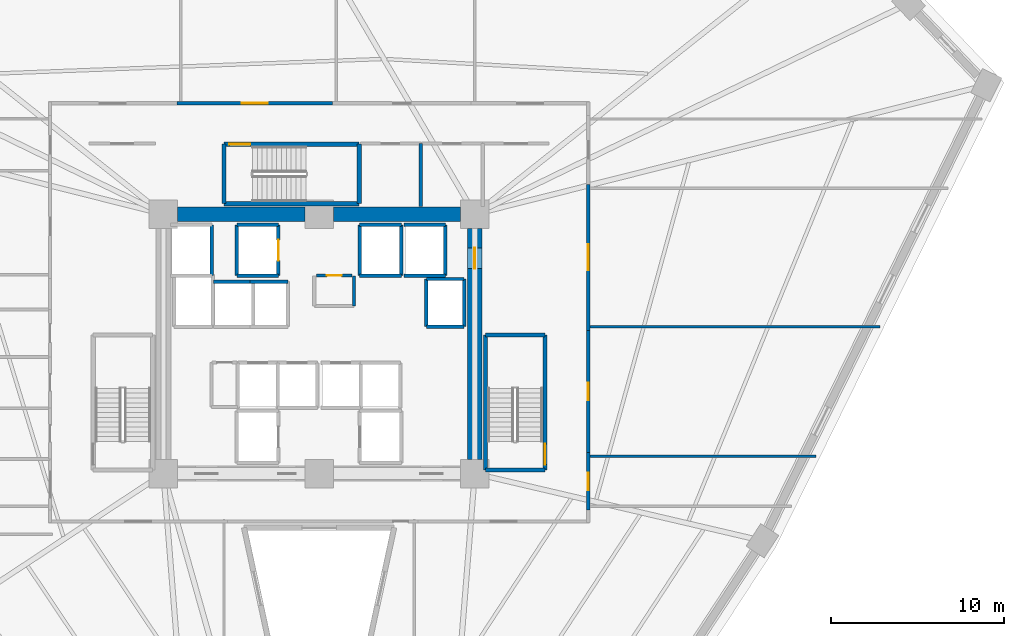
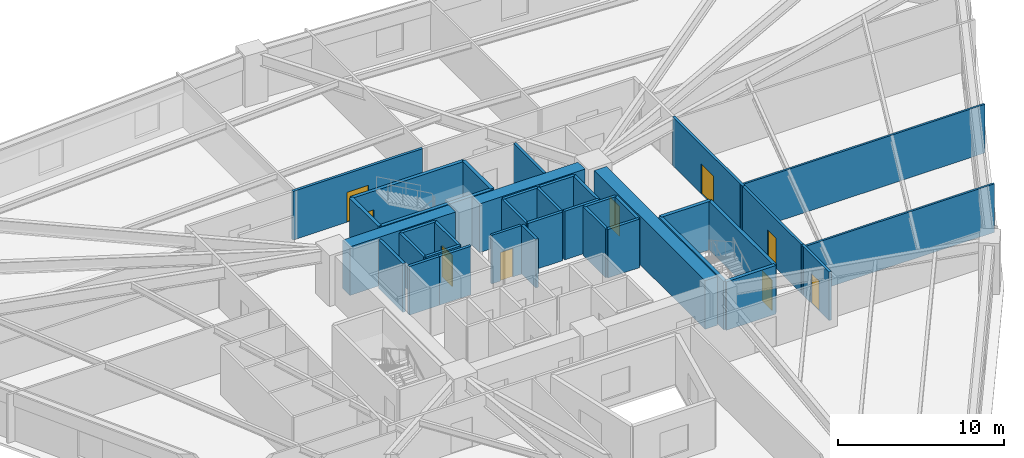
# One storey, part 6 of 11: 38 walls, 9 doors, 9 openings.
"""IFC4 building model written with IfcOpenShell, lengths in metres."""

from ifc_helpers import new_model, si_unit, direction, frame, frame_2d, origin, place, context, subcontext, project, spatial, rectangle, extrude, source, transform, mapped, material, layer, layer_set, type_object, element, fill, save


model = new_model("IFC4")

# Units and contexts
model_context = context("Model", 3, precision=1e-05, world=origin(), true_north=direction((0.0, 1.0)))
body_context = subcontext(model_context, "Body", "Model", "MODEL_VIEW")
ifc_project = project(units=[si_unit("LENGTHUNIT", "METRE"), si_unit("AREAUNIT", "SQUARE_METRE"), si_unit("VOLUMEUNIT", "CUBIC_METRE"), si_unit("PLANEANGLEUNIT", "RADIAN"), si_unit("MASSUNIT", "GRAM", prefix="KILO")], contexts=[model_context])

# Site, building, storey
site_placement = place(None, origin())
site = spatial("IfcSite", under=ifc_project, at=site_placement, CompositionType="ELEMENT")
building_placement = place(site_placement, origin())
building = spatial("IfcBuilding", under=site, at=building_placement, Name="Liaohun Quay Tower", CompositionType="ELEMENT")
storey_placement = place(building_placement, frame((0.0, 0.0, 51.75)))
storey = spatial("IfcBuildingStorey", under=building, at=storey_placement, Name="L13", CompositionType="ELEMENT", Elevation=51.75)

# Walls
ifc_material_1 = material(Name="Concrete C60", Category="concrete")
ifc_layer_1 = layer(ifc_material_1, 0.85009765625, Name="Concrete C60", Category="concrete")
ifc_layer_set_1 = layer_set([ifc_layer_1], Name="Concrete C60")
wall_type_1 = type_object("IfcWallType", Name="WAL-COR-Z1", PredefinedType="SHEAR", material=ifc_layer_set_1)
for number, where, z_axis, x_axis, name in (
    (1, (51.824951171875, 61.5, 0.0), (0.0, 0.0, 1.0), (1.0, 0.0, 0.0), "L13 Central Core Shear Wall N-W"),
    (2, (60.824951171875, 61.5, 0.0), (0.0, 0.0, 1.0), (1.0, 0.0, 0.0), "L13 Central Core Shear Wall N-E"),
):
    element("IfcWall", number, at=place(storey_placement, frame(where, z_axis=z_axis, x_axis=x_axis)), inside=storey, type_object=wall_type_1, Name=name, PredefinedType="SHEAR", context=body_context, shape_type="SweptSolid", body=[
        extrude(rectangle(XDim=7.35009765625, YDim=0.85009765625, at=frame_2d((3.675048828125, 0.0))), origin(), (0.0, 0.0, 1.0), 3.570068359375),
    ])

# Wall, opening, door
wall_1_placement = place(storey_placement, frame((69.0, 60.675048828125, 0.0), z_axis=(0.0, 0.0, 1.0), x_axis=(0.0, -1.0, 0.0)))
wall_1 = element("IfcWall", 3, at=wall_1_placement, inside=storey, type_object=wall_type_1, Name="L13 Central Core Shear Wall E", PredefinedType="SHEAR", context=body_context, shape_type="SweptSolid", body=[
    extrude(rectangle(XDim=13.35009765625, YDim=0.85009765625, at=frame_2d((6.675048828125, 0.0))), origin(), (0.0, 0.0, 1.0), 3.570068359375),
])
shared_shape_1 = source(origin(), body_context, "Body", "SweptSolid", [
    extrude(rectangle(XDim=1.199951171875, YDim=2.199951171875, at=frame_2d((0.60009765625, 1.10009765625))), frame((0.0, 0.43505859375, 0.0), z_axis=(0.0, -1.0, 0.0), x_axis=(1.0, 0.0, 0.0)), (0.0, 0.0, 1.0), 0.8701171875),
])
opening_1_placement = place(wall_1_placement, frame((1.125, 0.0, 0.0)))
opening_1 = element("IfcOpeningElement", 4, at=opening_1_placement, cuts=wall_1, Name="Opening SD1", PredefinedType="OPENING", context=body_context, shape_type="MappedRepresentation", body=[
    mapped(shared_shape_1, transform((0.0, 0.0, 0.0), x_axis=(1.0, 0.0, 0.0), y_axis=(0.0, 1.0, 0.0), z_axis=(0.0, 0.0, 1.0), scale=1.0)),
])
ifc_material_2 = material(Name="Galvanised steel fire door", Category="steel")
door_type_1 = type_object("IfcDoorType", Name="DOR-STR-1200", OperationType="NOTDEFINED", PredefinedType="DOOR", material=ifc_material_2)
shared_shape_2 = source(origin(), body_context, "Body", "SweptSolid", [
    extrude(rectangle(XDim=1.199951171875, YDim=2.199951171875, at=frame_2d((0.60009765625, 1.10009765625))), frame((0.0, 0.02490234375, 0.0), z_axis=(0.0, -1.0, 0.0), x_axis=(1.0, 0.0, 0.0)), (0.0, 0.0, 1.0), 0.050048828125),
])
door_1_placement = place(opening_1_placement, origin())
door_1 = element("IfcDoor", 5, at=door_1_placement, inside=storey, type_object=door_type_1, Name="L13 North-East Core Lobby Smokeproof Door", OperationType="SINGLE_SWING_LEFT", OverallHeight=2.199951171875, OverallWidth=1.199951171875, PredefinedType="DOOR", context=body_context, shape_type="MappedRepresentation", body=[
    mapped(shared_shape_2, transform((0.0, 0.0, 0.0), x_axis=(1.0, 0.0, 0.0), y_axis=(0.0, 1.0, 0.0), z_axis=(0.0, 0.0, 1.0), scale=1.0)),
])
fill(opening_1, door_1)

ifc_material_3 = material(Name="Autoclaved aerated concrete blockwork", Category="masonry")
ifc_layer_2 = layer(ifc_material_3, 0.179931640625, Name="Autoclaved aerated concrete blockwork", Category="masonry")
ifc_layer_set_2 = layer_set([ifc_layer_2], Name="Autoclaved aerated concrete blockwork")
wall_type_2 = type_object("IfcWallType", Name="WAL-PRT-COR", PredefinedType="PARTITIONING", material=ifc_layer_set_2)
wall_2_placement = place(storey_placement, frame((59.840087890625, 57.949951171875, 0.0), z_axis=(0.0, 0.0, 1.0), x_axis=(1.0, 0.0, 0.0)))
wall_2 = element("IfcWall", 6, at=wall_2_placement, inside=storey, type_object=wall_type_2, Name="L13 Interior Partition Wall 001", PredefinedType="PARTITIONING", context=body_context, shape_type="SweptSolid", body=[
    extrude(rectangle(XDim=2.059814453125, YDim=0.179931640625, at=frame_2d((1.02978515625, 0.0))), origin(), (0.0, 0.0, 1.0), 3.570068359375),
])
shared_shape_3 = source(origin(), body_context, "Body", "SweptSolid", [
    extrude(rectangle(XDim=0.85009765625, YDim=2.10009765625, at=frame_2d((0.425048828125, 1.050048828125))), frame((0.0, 0.099853515625, 0.0), z_axis=(0.0, -1.0, 0.0), x_axis=(1.0, 0.0, 0.0)), (0.0, 0.0, 1.0), 0.199951171875),
])
opening_2_placement = place(wall_2_placement, frame((0.60498046875, 0.0, 0.0)))
opening_2 = element("IfcOpeningElement", 7, at=opening_2_placement, cuts=wall_2, Name="Opening AD1", PredefinedType="OPENING", context=body_context, shape_type="MappedRepresentation", body=[
    mapped(shared_shape_3, transform((0.0, 0.0, 0.0), x_axis=(1.0, 0.0, 0.0), y_axis=(0.0, 1.0, 0.0), z_axis=(0.0, 0.0, 1.0), scale=1.0)),
])
ifc_material_4 = material(Name="Steel riser inspection fire door", Category="steel")
door_type_2 = type_object("IfcDoorType", Name="DOR-SHF-850", OperationType="NOTDEFINED", PredefinedType="DOOR", material=ifc_material_4)
shared_shape_4 = source(origin(), body_context, "Body", "SweptSolid", [
    extrude(rectangle(XDim=0.85009765625, YDim=2.10009765625, at=frame_2d((0.425048828125, 1.050048828125))), frame((0.0, 0.02490234375, 0.0), z_axis=(0.0, -1.0, 0.0), x_axis=(1.0, 0.0, 0.0)), (0.0, 0.0, 1.0), 0.050048828125),
])
door_2_placement = place(opening_2_placement, origin())
door_2 = element("IfcDoor", 8, at=door_2_placement, inside=storey, type_object=door_type_2, Name="L13 Core Janitor and Cleaner Store Door", OperationType="SINGLE_SWING_RIGHT", OverallHeight=2.10009765625, OverallWidth=0.85009765625, PredefinedType="DOOR", context=body_context, shape_type="MappedRepresentation", body=[
    mapped(shared_shape_4, transform((0.0, 0.0, 0.0), x_axis=(1.0, 0.0, 0.0), y_axis=(0.0, 1.0, 0.0), z_axis=(0.0, 0.0, 1.0), scale=1.0)),
])
fill(opening_2, door_2)

wall_3_placement = place(storey_placement, frame((75.56005859375, 63.215087890625, 0.0), z_axis=(0.0, 0.0, 1.0), x_axis=(0.0, -1.0, 0.0)))
wall_3 = element("IfcWall", 9, at=wall_3_placement, inside=storey, type_object=wall_type_2, Name="L13 Interior Partition Wall 010", PredefinedType="PARTITIONING", context=body_context, shape_type="SweptSolid", body=[
    extrude(rectangle(XDim=8.43017578125, YDim=0.179931640625, at=frame_2d((4.215087890625, 0.0))), origin(), (0.0, 0.0, 1.0), 3.570068359375),
])
shared_shape_5 = source(origin(), body_context, "Body", "SweptSolid", [
    extrude(rectangle(XDim=1.5, YDim=2.199951171875, at=frame_2d((0.75, 1.10009765625))), frame((0.0, 0.099853515625, 0.0), z_axis=(0.0, -1.0, 0.0), x_axis=(1.0, 0.0, 0.0)), (0.0, 0.0, 1.0), 0.199951171875),
])
opening_3_placement = place(wall_3_placement, frame((3.465087890625, 0.0, 0.0)))
opening_3 = element("IfcOpeningElement", 10, at=opening_3_placement, cuts=wall_3, Name="Opening OD2", PredefinedType="OPENING", context=body_context, shape_type="MappedRepresentation", body=[
    mapped(shared_shape_5, transform((0.0, 0.0, 0.0), x_axis=(1.0, 0.0, 0.0), y_axis=(0.0, 1.0, 0.0), z_axis=(0.0, 0.0, 1.0), scale=1.0)),
])
ifc_material_5 = material(Name="Acoustic oak veneer double door")
door_type_3 = type_object("IfcDoorType", Name="DOR-OFF-1500", OperationType="DOUBLE_DOOR_SINGLE_SWING", PredefinedType="DOOR", material=ifc_material_5)
shared_shape_6 = source(origin(), body_context, "Body", "SweptSolid", [
    extrude(rectangle(XDim=1.5, YDim=2.199951171875, at=frame_2d((0.75, 1.10009765625))), frame((0.0, 0.02490234375, 0.0), z_axis=(0.0, -1.0, 0.0), x_axis=(1.0, 0.0, 0.0)), (0.0, 0.0, 1.0), 0.050048828125),
])
door_3_placement = place(opening_3_placement, origin())
door_3 = element("IfcDoor", 11, at=door_3_placement, inside=storey, type_object=door_type_3, Name="L13 Architectural Design Studio 01 Door", OperationType="DOUBLE_DOOR_SINGLE_SWING", OverallHeight=2.199951171875, OverallWidth=1.5, PredefinedType="DOOR", context=body_context, shape_type="MappedRepresentation", body=[
    mapped(shared_shape_6, transform((0.0, 0.0, 0.0), x_axis=(1.0, 0.0, 0.0), y_axis=(0.0, 1.0, 0.0), z_axis=(0.0, 0.0, 1.0), scale=1.0)),
])
fill(opening_3, door_3)

wall_4_placement = place(storey_placement, frame((51.784912109375, 67.909912109375, 0.0), z_axis=(0.0, 0.0, 1.0), x_axis=(1.0, 0.0, 0.0)))
wall_4 = element("IfcWall", 12, at=wall_4_placement, inside=storey, type_object=wall_type_2, Name="L13 Interior Partition Wall 014", PredefinedType="PARTITIONING", context=body_context, shape_type="SweptSolid", body=[
    extrude(rectangle(XDim=9.0, YDim=0.179931640625, at=frame_2d((4.5, 0.0))), origin(), (0.0, 0.0, 1.0), 3.570068359375),
])
opening_4_placement = place(wall_4_placement, frame((3.75, 0.0, 0.0)))
opening_4 = element("IfcOpeningElement", 13, at=opening_4_placement, cuts=wall_4, Name="Opening OD2", PredefinedType="OPENING", context=body_context, shape_type="MappedRepresentation", body=[
    mapped(shared_shape_5, transform((0.0, 0.0, 0.0), x_axis=(1.0, 0.0, 0.0), y_axis=(0.0, 1.0, 0.0), z_axis=(0.0, 0.0, 1.0), scale=1.0)),
])
door_4_placement = place(opening_4_placement, origin())
door_4 = element("IfcDoor", 14, at=door_4_placement, inside=storey, type_object=door_type_3, Name="L13 Digital Prototyping Laboratory 05 Door", OperationType="DOUBLE_DOOR_SINGLE_SWING", OverallHeight=2.199951171875, OverallWidth=1.5, PredefinedType="DOOR", context=body_context, shape_type="MappedRepresentation", body=[
    mapped(shared_shape_6, transform((0.0, 0.0, 0.0), x_axis=(1.0, 0.0, 0.0), y_axis=(0.0, 1.0, 0.0), z_axis=(0.0, 0.0, 1.0), scale=1.0)),
])
fill(opening_4, door_4)

wall_5_placement = place(storey_placement, frame((75.56005859375, 47.715087890625, 0.0), z_axis=(0.0, 0.0, 1.0), x_axis=(0.0, -1.0, 0.0)))
wall_5 = element("IfcWall", 15, at=wall_5_placement, inside=storey, type_object=wall_type_2, Name="L13 Interior Partition Wall 022", PredefinedType="PARTITIONING", context=body_context, shape_type="SweptSolid", body=[
    extrude(rectangle(XDim=3.330078125, YDim=0.179931640625, at=frame_2d((1.6650390625, 0.0))), origin(), (0.0, 0.0, 1.0), 3.570068359375),
])
shared_shape_7 = source(origin(), body_context, "Body", "SweptSolid", [
    extrude(rectangle(XDim=1.0, YDim=2.199951171875, at=frame_2d((0.5, 1.10009765625))), frame((0.0, 0.099853515625, 0.0), z_axis=(0.0, -1.0, 0.0), x_axis=(1.0, 0.0, 0.0)), (0.0, 0.0, 1.0), 0.199951171875),
])
opening_5_placement = place(wall_5_placement, frame((1.1650390625, 0.0, 0.0)))
opening_5 = element("IfcOpeningElement", 16, at=opening_5_placement, cuts=wall_5, Name="Opening OD1", PredefinedType="OPENING", context=body_context, shape_type="MappedRepresentation", body=[
    mapped(shared_shape_7, transform((0.0, 0.0, 0.0), x_axis=(1.0, 0.0, 0.0), y_axis=(0.0, 1.0, 0.0), z_axis=(0.0, 0.0, 1.0), scale=1.0)),
])
ifc_material_6 = material(Name="Solid-core oak veneer timber leaf in steel frame", Category="steel")
door_type_4 = type_object("IfcDoorType", Name="DOR-OFF-1000", OperationType="NOTDEFINED", PredefinedType="DOOR", material=ifc_material_6)
shared_shape_8 = source(origin(), body_context, "Body", "SweptSolid", [
    extrude(rectangle(XDim=1.0, YDim=2.199951171875, at=frame_2d((0.5, 1.10009765625))), frame((0.0, 0.02490234375, 0.0), z_axis=(0.0, -1.0, 0.0), x_axis=(1.0, 0.0, 0.0)), (0.0, 0.0, 1.0), 0.050048828125),
])
door_5_placement = place(opening_5_placement, origin())
door_5 = element("IfcDoor", 17, at=door_5_placement, inside=storey, type_object=door_type_4, Name="L13 Regional Advisory Office 13 Door", OperationType="SINGLE_SWING_LEFT", OverallHeight=2.199951171875, OverallWidth=1.0, PredefinedType="DOOR", context=body_context, shape_type="MappedRepresentation", body=[
    mapped(shared_shape_8, transform((0.0, 0.0, 0.0), x_axis=(1.0, 0.0, 0.0), y_axis=(0.0, 1.0, 0.0), z_axis=(0.0, 0.0, 1.0), scale=1.0)),
])
fill(opening_5, door_5)

wall_6_placement = place(storey_placement, frame((75.56005859375, 54.784912109375, 0.0), z_axis=(0.0, 0.0, 1.0), x_axis=(0.0, -1.0, 0.0)))
wall_6 = element("IfcWall", 18, at=wall_6_placement, inside=storey, type_object=wall_type_2, Name="L13 Interior Partition Wall 023", PredefinedType="PARTITIONING", context=body_context, shape_type="SweptSolid", body=[
    extrude(rectangle(XDim=7.06982421875, YDim=0.179931640625, at=frame_2d((3.534912109375, 0.0))), origin(), (0.0, 0.0, 1.0), 3.570068359375),
])
opening_6_placement = place(wall_6_placement, frame((3.034912109375, 0.0, 0.0)))
opening_6 = element("IfcOpeningElement", 19, at=opening_6_placement, cuts=wall_6, Name="Opening OD1", PredefinedType="OPENING", context=body_context, shape_type="MappedRepresentation", body=[
    mapped(shared_shape_7, transform((0.0, 0.0, 0.0), x_axis=(1.0, 0.0, 0.0), y_axis=(0.0, 1.0, 0.0), z_axis=(0.0, 0.0, 1.0), scale=1.0)),
])
door_6_placement = place(opening_6_placement, origin())
door_6 = element("IfcDoor", 20, at=door_6_placement, inside=storey, type_object=door_type_4, Name="L13 Project Operations Office 14 Door", OperationType="SINGLE_SWING_RIGHT", OverallHeight=2.199951171875, OverallWidth=1.0, PredefinedType="DOOR", context=body_context, shape_type="MappedRepresentation", body=[
    mapped(shared_shape_8, transform((0.0, 0.0, 0.0), x_axis=(1.0, 0.0, 0.0), y_axis=(0.0, 1.0, 0.0), z_axis=(0.0, 0.0, 1.0), scale=1.0)),
])
fill(opening_6, door_6)

# Walls
wall_7_placement = place(storey_placement, frame((62.010009765625, 56.179931640625, 0.0), z_axis=(0.0, 0.0, 1.0), x_axis=(0.0, 1.0, 0.0)))
element("IfcWall", 21, at=wall_7_placement, inside=storey, type_object=wall_type_2, Name="L13 Interior Partition Wall 025", PredefinedType="PARTITIONING", context=body_context, shape_type="SweptSolid", body=[
    extrude(rectangle(XDim=1.739990234375, YDim=0.179931640625, at=frame_2d((0.8701171875, 0.0))), origin(), (0.0, 0.0, 1.0), 3.570068359375),
])
wall_8_placement = place(storey_placement, frame((65.8798828125, 61.949951171875, 0.0), z_axis=(0.0, 0.0, 1.0), x_axis=(0.0, 1.0, 0.0)))
element("IfcWall", 22, at=wall_8_placement, inside=storey, type_object=wall_type_2, Name="L13 Interior Partition Wall 034", PredefinedType="PARTITIONING", context=body_context, shape_type="SweptSolid", body=[
    extrude(rectangle(XDim=3.630126953125, YDim=0.179931640625, at=frame_2d((1.81494140625, 0.0))), origin(), (0.0, 0.0, 1.0), 3.570068359375),
])
ifc_material_7 = material(Name="Gypsum board on twin steel studs", Category="steel")
ifc_layer_3 = layer(ifc_material_7, 0.139892578125, Name="Gypsum board on twin steel studs", Category="steel")
ifc_layer_set_3 = layer_set([ifc_layer_3], Name="Gypsum board on twin steel studs")
wall_type_3 = type_object("IfcWallType", Name="WAL-PRT-OFF", PredefinedType="PARTITIONING", material=ifc_layer_set_3)
wall_9_placement = place(storey_placement, frame((75.4599609375, 47.5, 0.0), z_axis=(0.0, 0.0, 1.0), x_axis=(1.0, 0.0, 0.0)))
element("IfcWall", 23, at=wall_9_placement, inside=storey, type_object=wall_type_3, Name="L13 Interior Partition Wall 047", PredefinedType="PARTITIONING", context=body_context, shape_type="SweptSolid", body=[
    extrude(rectangle(XDim=13.27294921875, YDim=0.139892578125, at=frame_2d((6.636474609375, 0.0))), origin(), (0.0, 0.0, 1.0), 3.570068359375),
])
wall_10_placement = place(storey_placement, frame((75.4599609375, 55.0, 0.0), z_axis=(0.0, 0.0, 1.0), x_axis=(1.0, 0.0, 0.0)))
element("IfcWall", 24, at=wall_10_placement, inside=storey, type_object=wall_type_3, Name="L13 Interior Partition Wall 048", PredefinedType="PARTITIONING", context=body_context, shape_type="SweptSolid", body=[
    extrude(rectangle(XDim=16.958984375, YDim=0.139892578125, at=frame_2d((8.4794921875, 0.0))), origin(), (0.0, 0.0, 1.0), 3.570068359375),
])
ifc_material_8 = material(Name="Concrete C50", Category="concrete")
ifc_layer_4 = layer(ifc_material_8, 0.239990234375, Name="Concrete C50", Category="concrete")
ifc_layer_set_4 = layer_set([ifc_layer_4], Name="Concrete C50")
wall_type_4 = type_object("IfcWallType", Name="WAL-SHF-200", PredefinedType="SOLIDWALL", material=ifc_layer_set_4)
wall_11_placement = place(storey_placement, frame((69.6201171875, 46.699951171875, 0.0), z_axis=(0.0, 0.0, 1.0), x_axis=(1.0, 0.0, 0.0)))
element("IfcWall", 25, at=wall_11_placement, inside=storey, type_object=wall_type_4, Name="L13 Stairwell ST-2 Structural Core Wall S", PredefinedType="SOLIDWALL", context=body_context, shape_type="SweptSolid", body=[
    extrude(rectangle(XDim=3.43994140625, YDim=0.239990234375, at=frame_2d((1.719970703125, 0.0))), origin(), (0.0, 0.0, 1.0), 3.570068359375),
])

# Wall, opening, door
wall_12_placement = place(storey_placement, frame((73.06005859375, 46.699951171875, 0.0), z_axis=(0.0, 0.0, 1.0), x_axis=(0.0, 1.0, 0.0)))
wall_12 = element("IfcWall", 26, at=wall_12_placement, inside=storey, type_object=wall_type_4, Name="L13 Stairwell ST-2 Structural Core Wall E", PredefinedType="SOLIDWALL", context=body_context, shape_type="SweptSolid", body=[
    extrude(rectangle(XDim=7.820068359375, YDim=0.239990234375, at=frame_2d((3.91015625, 0.0))), origin(), (0.0, 0.0, 1.0), 3.570068359375),
])
shared_shape_9 = source(origin(), body_context, "Body", "SweptSolid", [
    extrude(rectangle(XDim=1.199951171875, YDim=2.199951171875, at=frame_2d((0.60009765625, 1.10009765625))), frame((0.0, 0.1298828125, 0.0), z_axis=(0.0, -1.0, 0.0), x_axis=(1.0, 0.0, 0.0)), (0.0, 0.0, 1.0), 0.260009765625),
])
opening_7_placement = place(wall_12_placement, frame((0.320068359375, 0.0, 0.0)))
opening_7 = element("IfcOpeningElement", 27, at=opening_7_placement, cuts=wall_12, Name="Opening SD1", PredefinedType="OPENING", context=body_context, shape_type="MappedRepresentation", body=[
    mapped(shared_shape_9, transform((0.0, 0.0, 0.0), x_axis=(1.0, 0.0, 0.0), y_axis=(0.0, 1.0, 0.0), z_axis=(0.0, 0.0, 1.0), scale=1.0)),
])
door_7_placement = place(opening_7_placement, origin())
door_7 = element("IfcDoor", 28, at=door_7_placement, inside=storey, type_object=door_type_1, Name="L13 Protected Stair ST-2 Fire Door", OperationType="SINGLE_SWING_RIGHT", OverallHeight=2.199951171875, OverallWidth=1.199951171875, PredefinedType="DOOR", context=body_context, shape_type="MappedRepresentation", body=[
    mapped(shared_shape_2, transform((0.0, 0.0, 0.0), x_axis=(1.0, 0.0, 0.0), y_axis=(0.0, 1.0, 0.0), z_axis=(0.0, 0.0, 1.0), scale=1.0)),
])
fill(opening_7, door_7)

# Walls
wall_13_placement = place(storey_placement, frame((73.06005859375, 54.52001953125, 0.0), z_axis=(0.0, 0.0, 1.0), x_axis=(-1.0, 0.0, 0.0)))
element("IfcWall", 29, at=wall_13_placement, inside=storey, type_object=wall_type_4, Name="L13 Stairwell ST-2 Structural Core Wall N", PredefinedType="SOLIDWALL", context=body_context, shape_type="SweptSolid", body=[
    extrude(rectangle(XDim=3.43994140625, YDim=0.239990234375, at=frame_2d((1.719970703125, 0.0))), origin(), (0.0, 0.0, 1.0), 3.570068359375),
])
for number, where, z_axis, x_axis, name in (
    (30, (69.6201171875, 54.52001953125, 0.0), (0.0, 0.0, 1.0), (0.0, -1.0, 0.0), "L13 Stairwell ST-2 Structural Core Wall W"),
    (31, (54.5, 62.10009765625, 0.0), (0.0, 0.0, 1.0), (1.0, 0.0, 0.0), "L13 Stairwell ST-3 Structural Core Wall S"),
):
    element("IfcWall", number, at=place(storey_placement, frame(where, z_axis=z_axis, x_axis=x_axis)), inside=storey, type_object=wall_type_4, Name=name, PredefinedType="SOLIDWALL", context=body_context, shape_type="SweptSolid", body=[
        extrude(rectangle(XDim=7.820068359375, YDim=0.239990234375, at=frame_2d((3.91015625, 0.0))), origin(), (0.0, 0.0, 1.0), 3.570068359375),
    ])
wall_14_placement = place(storey_placement, frame((62.320068359375, 62.10009765625, 0.0), z_axis=(0.0, 0.0, 1.0), x_axis=(0.0, 1.0, 0.0)))
element("IfcWall", 32, at=wall_14_placement, inside=storey, type_object=wall_type_4, Name="L13 Stairwell ST-3 Structural Core Wall E", PredefinedType="SOLIDWALL", context=body_context, shape_type="SweptSolid", body=[
    extrude(rectangle(XDim=3.43994140625, YDim=0.239990234375, at=frame_2d((1.719970703125, 0.0))), origin(), (0.0, 0.0, 1.0), 3.570068359375),
])

# Wall, opening, door
wall_15_placement = place(storey_placement, frame((62.320068359375, 65.5400390625, 0.0), z_axis=(0.0, 0.0, 1.0), x_axis=(-1.0, 0.0, 0.0)))
wall_15 = element("IfcWall", 33, at=wall_15_placement, inside=storey, type_object=wall_type_4, Name="L13 Stairwell ST-3 Structural Core Wall N", PredefinedType="SOLIDWALL", context=body_context, shape_type="SweptSolid", body=[
    extrude(rectangle(XDim=7.820068359375, YDim=0.239990234375, at=frame_2d((3.91015625, 0.0))), origin(), (0.0, 0.0, 1.0), 3.570068359375),
])
opening_8_placement = place(wall_15_placement, frame((6.300048828125, 0.0, 0.0)))
opening_8 = element("IfcOpeningElement", 34, at=opening_8_placement, cuts=wall_15, Name="Opening SD1", PredefinedType="OPENING", context=body_context, shape_type="MappedRepresentation", body=[
    mapped(shared_shape_9, transform((0.0, 0.0, 0.0), x_axis=(1.0, 0.0, 0.0), y_axis=(0.0, 1.0, 0.0), z_axis=(0.0, 0.0, 1.0), scale=1.0)),
])
door_8_placement = place(opening_8_placement, origin())
door_8 = element("IfcDoor", 35, at=door_8_placement, inside=storey, type_object=door_type_1, Name="L13 Protected Stair ST-3 Fire Door", OperationType="SINGLE_SWING_RIGHT", OverallHeight=2.199951171875, OverallWidth=1.199951171875, PredefinedType="DOOR", context=body_context, shape_type="MappedRepresentation", body=[
    mapped(shared_shape_2, transform((0.0, 0.0, 0.0), x_axis=(1.0, 0.0, 0.0), y_axis=(0.0, 1.0, 0.0), z_axis=(0.0, 0.0, 1.0), scale=1.0)),
])
fill(opening_8, door_8)

# Walls
wall_16_placement = place(storey_placement, frame((54.5, 65.5400390625, 0.0), z_axis=(0.0, 0.0, 1.0), x_axis=(0.0, -1.0, 0.0)))
element("IfcWall", 36, at=wall_16_placement, inside=storey, type_object=wall_type_4, Name="L13 Stairwell ST-3 Structural Core Wall W", PredefinedType="SOLIDWALL", context=body_context, shape_type="SweptSolid", body=[
    extrude(rectangle(XDim=3.43994140625, YDim=0.239990234375, at=frame_2d((1.719970703125, 0.0))), origin(), (0.0, 0.0, 1.0), 3.570068359375),
])
wall_17_placement = place(storey_placement, frame((55.25, 57.949951171875, 0.0), z_axis=(0.0, 0.0, 1.0), x_axis=(1.0, 0.0, 0.0)))
element("IfcWall", 37, at=wall_17_placement, inside=storey, type_object=wall_type_4, Name="L13 Lift FF-03 Hoistway Wall S", PredefinedType="SOLIDWALL", context=body_context, shape_type="SweptSolid", body=[
    extrude(rectangle(XDim=2.39990234375, YDim=0.199951171875, at=frame_2d((1.199951171875, 0.0))), origin(), (0.0, 0.0, 1.0), 3.570068359375),
])

# Wall, opening, door
wall_18_placement = place(storey_placement, frame((57.64990234375, 57.949951171875, 0.0), z_axis=(0.0, 0.0, 1.0), x_axis=(0.0, 1.0, 0.0)))
wall_18 = element("IfcWall", 38, at=wall_18_placement, inside=storey, type_object=wall_type_4, Name="L13 Lift FF-03 Hoistway Wall E", PredefinedType="SOLIDWALL", context=body_context, shape_type="SweptSolid", body=[
    extrude(rectangle(XDim=2.929931640625, YDim=0.199951171875, at=frame_2d((1.46484375, 0.0))), origin(), (0.0, 0.0, 1.0), 3.570068359375),
])
shared_shape_10 = source(origin(), body_context, "Body", "SweptSolid", [
    extrude(rectangle(XDim=1.199951171875, YDim=2.300048828125, at=frame_2d((0.60009765625, 1.14990234375))), frame((0.0, 0.10986328125, 0.0), z_axis=(0.0, -1.0, 0.0), x_axis=(1.0, 0.0, 0.0)), (0.0, 0.0, 1.0), 0.219970703125),
])
opening_9_placement = place(wall_18_placement, frame((0.864990234375, 0.0, 0.0)))
opening_9 = element("IfcOpeningElement", 39, at=opening_9_placement, cuts=wall_18, Name="Opening LD2", PredefinedType="OPENING", context=body_context, shape_type="MappedRepresentation", body=[
    mapped(shared_shape_10, transform((0.0, 0.0, 0.0), x_axis=(1.0, 0.0, 0.0), y_axis=(0.0, 1.0, 0.0), z_axis=(0.0, 0.0, 1.0), scale=1.0)),
])
ifc_material_9 = material(Name="Brushed stainless steel stretcher landing door", Category="steel")
door_type_5 = type_object("IfcDoorType", Name="DOR-LFT-1200", OperationType="SLIDING_TO_LEFT", PredefinedType="DOOR", material=ifc_material_9)
shared_shape_11 = source(origin(), body_context, "Body", "SweptSolid", [
    extrude(rectangle(XDim=1.199951171875, YDim=2.300048828125, at=frame_2d((0.60009765625, 1.14990234375))), frame((0.0, 0.02490234375, 0.0), z_axis=(0.0, -1.0, 0.0), x_axis=(1.0, 0.0, 0.0)), (0.0, 0.0, 1.0), 0.050048828125),
])
door_9_placement = place(opening_9_placement, origin())
door_9 = element("IfcDoor", 40, at=door_9_placement, inside=storey, type_object=door_type_5, Name="L13 Lift FF-03 Sliding Landing Door", OperationType="SLIDING_TO_LEFT", OverallHeight=2.300048828125, OverallWidth=1.199951171875, PredefinedType="DOOR", context=body_context, shape_type="MappedRepresentation", body=[
    mapped(shared_shape_11, transform((0.0, 0.0, 0.0), x_axis=(1.0, 0.0, 0.0), y_axis=(0.0, 1.0, 0.0), z_axis=(0.0, 0.0, 1.0), scale=1.0)),
])
fill(opening_9, door_9)

# Walls
wall_19_placement = place(storey_placement, frame((57.64990234375, 60.8798828125, 0.0), z_axis=(0.0, 0.0, 1.0), x_axis=(-1.0, 0.0, 0.0)))
element("IfcWall", 41, at=wall_19_placement, inside=storey, type_object=wall_type_4, Name="L13 Lift FF-03 Hoistway Wall N", PredefinedType="SOLIDWALL", context=body_context, shape_type="SweptSolid", body=[
    extrude(rectangle(XDim=2.39990234375, YDim=0.199951171875, at=frame_2d((1.199951171875, 0.0))), origin(), (0.0, 0.0, 1.0), 3.570068359375),
])
wall_20_placement = place(storey_placement, frame((55.25, 60.8798828125, 0.0), z_axis=(0.0, 0.0, 1.0), x_axis=(0.0, -1.0, 0.0)))
element("IfcWall", 42, at=wall_20_placement, inside=storey, type_object=wall_type_4, Name="L13 Lift FF-03 Hoistway Wall W", PredefinedType="SOLIDWALL", context=body_context, shape_type="SweptSolid", body=[
    extrude(rectangle(XDim=2.929931640625, YDim=0.199951171875, at=frame_2d((1.46484375, 0.0))), origin(), (0.0, 0.0, 1.0), 3.570068359375),
])
wall_21_placement = place(storey_placement, frame((62.35009765625, 57.949951171875, 0.0), z_axis=(0.0, 0.0, 1.0), x_axis=(1.0, 0.0, 0.0)))
element("IfcWall", 43, at=wall_21_placement, inside=storey, type_object=wall_type_4, Name="L13 Lift OB-01 Hoistway Wall S", PredefinedType="SOLIDWALL", context=body_context, shape_type="SweptSolid", body=[
    extrude(rectangle(XDim=2.39990234375, YDim=0.199951171875, at=frame_2d((1.199951171875, 0.0))), origin(), (0.0, 0.0, 1.0), 3.570068359375),
])
wall_22_placement = place(storey_placement, frame((64.75, 57.949951171875, 0.0), z_axis=(0.0, 0.0, 1.0), x_axis=(0.0, 1.0, 0.0)))
element("IfcWall", 44, at=wall_22_placement, inside=storey, type_object=wall_type_4, Name="L13 Lift OB-01 Hoistway Wall E", PredefinedType="SOLIDWALL", context=body_context, shape_type="SweptSolid", body=[
    extrude(rectangle(XDim=2.929931640625, YDim=0.199951171875, at=frame_2d((1.46484375, 0.0))), origin(), (0.0, 0.0, 1.0), 3.570068359375),
])
wall_23_placement = place(storey_placement, frame((64.75, 60.8798828125, 0.0), z_axis=(0.0, 0.0, 1.0), x_axis=(-1.0, 0.0, 0.0)))
element("IfcWall", 45, at=wall_23_placement, inside=storey, type_object=wall_type_4, Name="L13 Lift OB-01 Hoistway Wall N", PredefinedType="SOLIDWALL", context=body_context, shape_type="SweptSolid", body=[
    extrude(rectangle(XDim=2.39990234375, YDim=0.199951171875, at=frame_2d((1.199951171875, 0.0))), origin(), (0.0, 0.0, 1.0), 3.570068359375),
])
wall_24_placement = place(storey_placement, frame((62.35009765625, 60.8798828125, 0.0), z_axis=(0.0, 0.0, 1.0), x_axis=(0.0, -1.0, 0.0)))
element("IfcWall", 46, at=wall_24_placement, inside=storey, type_object=wall_type_4, Name="L13 Lift OB-01 Hoistway Wall W", PredefinedType="SOLIDWALL", context=body_context, shape_type="SweptSolid", body=[
    extrude(rectangle(XDim=2.929931640625, YDim=0.199951171875, at=frame_2d((1.46484375, 0.0))), origin(), (0.0, 0.0, 1.0), 3.570068359375),
])
wall_25_placement = place(storey_placement, frame((64.89990234375, 57.949951171875, 0.0), z_axis=(0.0, 0.0, 1.0), x_axis=(1.0, 0.0, 0.0)))
element("IfcWall", 47, at=wall_25_placement, inside=storey, type_object=wall_type_4, Name="L13 Lift OB-02 Hoistway Wall S", PredefinedType="SOLIDWALL", context=body_context, shape_type="SweptSolid", body=[
    extrude(rectangle(XDim=2.400146484375, YDim=0.199951171875, at=frame_2d((1.2001953125, 0.0))), origin(), (0.0, 0.0, 1.0), 3.570068359375),
])
wall_26_placement = place(storey_placement, frame((67.300048828125, 57.949951171875, 0.0), z_axis=(0.0, 0.0, 1.0), x_axis=(0.0, 1.0, 0.0)))
element("IfcWall", 48, at=wall_26_placement, inside=storey, type_object=wall_type_4, Name="L13 Lift OB-02 Hoistway Wall E", PredefinedType="SOLIDWALL", context=body_context, shape_type="SweptSolid", body=[
    extrude(rectangle(XDim=2.929931640625, YDim=0.199951171875, at=frame_2d((1.46484375, 0.0))), origin(), (0.0, 0.0, 1.0), 3.570068359375),
])
wall_27_placement = place(storey_placement, frame((67.300048828125, 60.8798828125, 0.0), z_axis=(0.0, 0.0, 1.0), x_axis=(-1.0, 0.0, 0.0)))
element("IfcWall", 49, at=wall_27_placement, inside=storey, type_object=wall_type_4, Name="L13 Lift OB-02 Hoistway Wall N", PredefinedType="SOLIDWALL", context=body_context, shape_type="SweptSolid", body=[
    extrude(rectangle(XDim=2.400146484375, YDim=0.199951171875, at=frame_2d((1.2001953125, 0.0))), origin(), (0.0, 0.0, 1.0), 3.570068359375),
])
wall_28_placement = place(storey_placement, frame((53.800048828125, 57.949951171875, 0.0), z_axis=(0.0, 0.0, 1.0), x_axis=(0.0, 1.0, 0.0)))
element("IfcWall", 50, at=wall_28_placement, inside=storey, type_object=wall_type_4, Name="L13 Lift SH-01 Hoistway Wall E", PredefinedType="SOLIDWALL", context=body_context, shape_type="SweptSolid", body=[
    extrude(rectangle(XDim=2.929931640625, YDim=0.199951171875, at=frame_2d((1.46484375, 0.0))), origin(), (0.0, 0.0, 1.0), 3.570068359375),
])
wall_29_placement = place(storey_placement, frame((66.199951171875, 55.0, 0.0), z_axis=(0.0, 0.0, 1.0), x_axis=(1.0, 0.0, 0.0)))
element("IfcWall", 51, at=wall_29_placement, inside=storey, type_object=wall_type_4, Name="L13 Lift SH-03 Hoistway Wall S", PredefinedType="SOLIDWALL", context=body_context, shape_type="SweptSolid", body=[
    extrude(rectangle(XDim=2.179931640625, YDim=0.199951171875, at=frame_2d((1.08984375, 0.0))), origin(), (0.0, 0.0, 1.0), 3.570068359375),
])
wall_30_placement = place(storey_placement, frame((68.3798828125, 55.0, 0.0), z_axis=(0.0, 0.0, 1.0), x_axis=(0.0, 1.0, 0.0)))
element("IfcWall", 52, at=wall_30_placement, inside=storey, type_object=wall_type_4, Name="L13 Lift SH-03 Hoistway Wall E", PredefinedType="SOLIDWALL", context=body_context, shape_type="SweptSolid", body=[
    extrude(rectangle(XDim=2.75, YDim=0.199951171875, at=frame_2d((1.375, 0.0))), origin(), (0.0, 0.0, 1.0), 3.570068359375),
])
wall_31_placement = place(storey_placement, frame((68.3798828125, 57.75, 0.0), z_axis=(0.0, 0.0, 1.0), x_axis=(-1.0, 0.0, 0.0)))
element("IfcWall", 53, at=wall_31_placement, inside=storey, type_object=wall_type_4, Name="L13 Lift SH-03 Hoistway Wall N", PredefinedType="SOLIDWALL", context=body_context, shape_type="SweptSolid", body=[
    extrude(rectangle(XDim=2.179931640625, YDim=0.199951171875, at=frame_2d((1.08984375, 0.0))), origin(), (0.0, 0.0, 1.0), 3.570068359375),
])
wall_32_placement = place(storey_placement, frame((66.199951171875, 57.75, 0.0), z_axis=(0.0, 0.0, 1.0), x_axis=(0.0, -1.0, 0.0)))
element("IfcWall", 54, at=wall_32_placement, inside=storey, type_object=wall_type_4, Name="L13 Lift SH-03 Hoistway Wall W", PredefinedType="SOLIDWALL", context=body_context, shape_type="SweptSolid", body=[
    extrude(rectangle(XDim=2.75, YDim=0.199951171875, at=frame_2d((1.375, 0.0))), origin(), (0.0, 0.0, 1.0), 3.570068359375),
])
wall_33_placement = place(storey_placement, frame((56.199951171875, 57.60009765625, 0.0), z_axis=(0.0, 0.0, 1.0), x_axis=(-1.0, 0.0, 0.0)))
element("IfcWall", 55, at=wall_33_placement, inside=storey, type_object=wall_type_4, Name="L13 Lift PL-2B Hoistway Wall N", PredefinedType="SOLIDWALL", context=body_context, shape_type="SweptSolid", body=[
    extrude(rectangle(XDim=2.300048828125, YDim=0.199951171875, at=frame_2d((1.14990234375, 0.0))), origin(), (0.0, 0.0, 1.0), 3.570068359375),
])
wall_34_placement = place(storey_placement, frame((58.199951171875, 57.60009765625, 0.0), z_axis=(0.0, 0.0, 1.0), x_axis=(-1.0, 0.0, 0.0)))
element("IfcWall", 56, at=wall_34_placement, inside=storey, type_object=wall_type_4, Name="L13 Lift PL-2C Hoistway Wall N", PredefinedType="SOLIDWALL", context=body_context, shape_type="SweptSolid", body=[
    extrude(rectangle(XDim=2.199951171875, YDim=0.199951171875, at=frame_2d((1.10009765625, 0.0))), origin(), (0.0, 0.0, 1.0), 3.570068359375),
])

save(model, "model.ifc")
